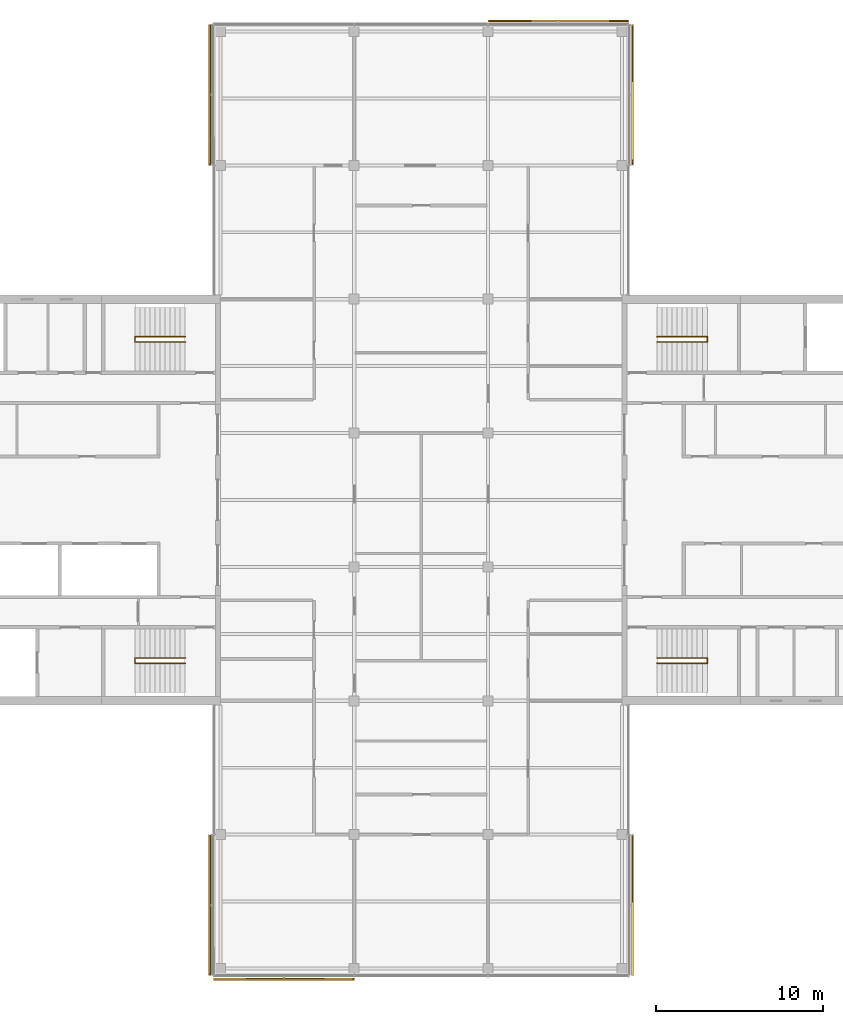
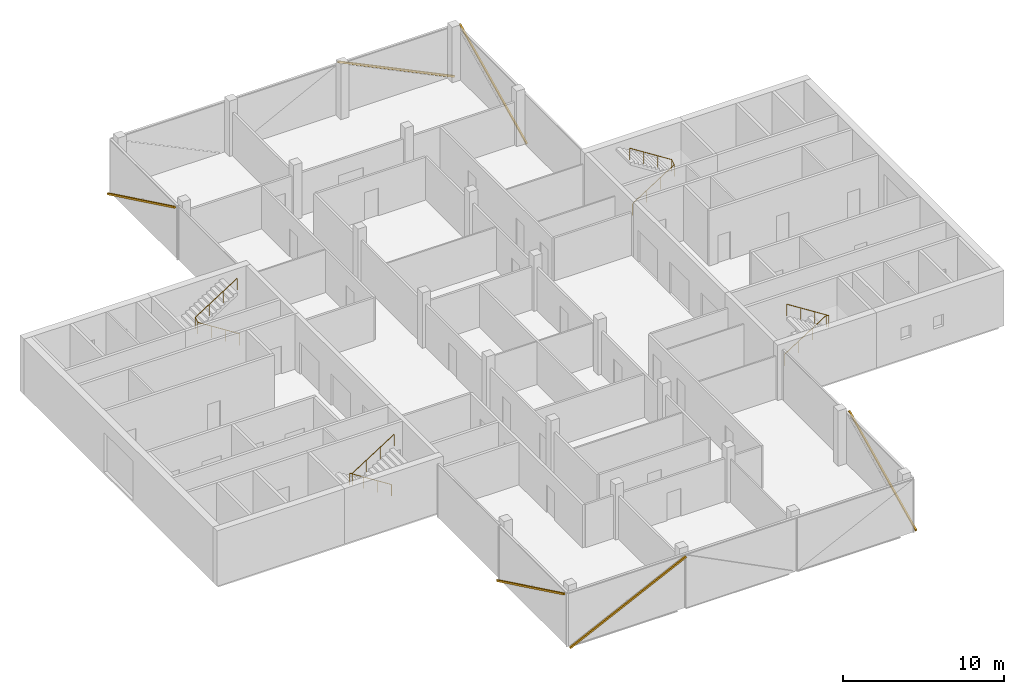
# One storey, part 16 of 16: 6 shading devices, 4 railings, 6 elements without a shape of their own.
"""IFC4 building model written with IfcOpenShell, lengths in metres."""

from ifc_helpers import new_model, si_unit, direction, frame, origin, origin_2d, place, context, subcontext, project, spatial, rectangle, circle, extrude, material, material_profile, profile_set, type_object, element, aggregate, save


model = new_model("IFC4")

# Units and contexts
model_context = context("Model", 3, precision=1e-05, world=origin(), true_north=direction((0.0, 1.0)))
body_context = subcontext(model_context, "Body", "Model", "MODEL_VIEW")
ifc_project = project(units=[si_unit("LENGTHUNIT", "METRE"), si_unit("AREAUNIT", "SQUARE_METRE"), si_unit("VOLUMEUNIT", "CUBIC_METRE"), si_unit("PLANEANGLEUNIT", "RADIAN"), si_unit("MASSUNIT", "GRAM", prefix="KILO")], contexts=[model_context])

# Site, building, storey
site_placement = place(None, origin())
site = spatial("IfcSite", under=ifc_project, at=site_placement, CompositionType="ELEMENT")
building_placement = place(site_placement, origin())
building = spatial("IfcBuilding", under=site, at=building_placement, Name="Crosswind Convention Tower", CompositionType="ELEMENT")
storey_placement = place(building_placement, frame((0.0, 0.0, 299.699951171875)))
storey = spatial("IfcBuildingStorey", under=building, at=storey_placement, Name="L65", CompositionType="ELEMENT", Elevation=299.699951171875)

# Railings
ifc_material_1 = material(Name="Stainless steel", Category="steel")
railing_type = type_object("IfcRailingType", Name="Stair handrail 900", PredefinedType="HANDRAIL", material=ifc_material_1)
railing_1_placement = place(storey_placement, frame((139.10009765625, 109.43994140625, 0.19091796875)))
element("IfcRailing", 1, at=railing_1_placement, inside=storey, type_object=railing_type, Name="Stair ST1 handrail L65", PredefinedType="HANDRAIL", context=body_context, shape_type="SweptSolid", body=[
    extrude(circle(Radius=0.02392578125, at=origin_2d()), frame((0.0, 0.0, 0.8759765625), z_axis=(0.843650179428, 0.0, 0.536893261973), x_axis=(0.0, 1.0, 0.0)), (0.0, 0.0, 1.0), 3.555908203125),
    extrude(circle(Radius=0.02392578125, at=origin_2d()), frame((3.0, 0.0, 2.78515625), z_axis=(0.0, 0.858819504967, 0.512278301208), x_axis=(-1.0, 0.0, 0.0)), (0.0, 0.0, 1.0), 0.372802734375),
    extrude(circle(Radius=0.02392578125, at=origin_2d()), frame((3.0, 0.320068359375, 2.97607421875), z_axis=(-0.843681277094, 0.0, 0.536844393359), x_axis=(0.0, -1.0, 0.0)), (0.0, 0.0, 1.0), 3.555908203125),
    extrude(circle(Radius=0.02099609375, at=origin_2d()), origin(), (0.0, 0.0, 1.0), 0.851806640625),
    extrude(circle(Radius=0.02099609375, at=origin_2d()), frame((1.0, 0.0, 0.636474609375)), (0.0, 0.0, 1.0), 0.851806640625),
    extrude(circle(Radius=0.02099609375, at=origin_2d()), frame((2.0, 0.0, 1.272705078125)), (0.0, 0.0, 1.0), 0.851806640625),
    extrude(circle(Radius=0.02099609375, at=origin_2d()), frame((3.0, 0.0, 1.9091796875)), (0.0, 0.0, 1.0), 0.851806640625),
    extrude(circle(Radius=0.02099609375, at=origin_2d()), frame((3.0, 0.320068359375, 2.10009765625)), (0.0, 0.0, 1.0), 0.851806640625),
    extrude(circle(Radius=0.02099609375, at=origin_2d()), frame((2.0, 0.320068359375, 2.736328125)), (0.0, 0.0, 1.0), 0.851806640625),
    extrude(circle(Radius=0.02099609375, at=origin_2d()), frame((1.0, 0.320068359375, 3.372802734375)), (0.0, 0.0, 1.0), 0.851806640625),
    extrude(circle(Radius=0.02099609375, at=origin_2d()), frame((0.0, 0.320068359375, 4.009033203125)), (0.0, 0.0, 1.0), 0.851806640625),
])
railing_2_placement = place(storey_placement, frame((139.10009765625, 90.56005859375, 0.19091796875)))
element("IfcRailing", 2, at=railing_2_placement, inside=storey, type_object=railing_type, Name="Stair ST2 handrail L65", PredefinedType="HANDRAIL", context=body_context, shape_type="SweptSolid", body=[
    extrude(circle(Radius=0.02392578125, at=origin_2d()), frame((0.0, 0.0, 0.8759765625), z_axis=(0.843650179428, 0.0, 0.536893261973), x_axis=(0.0, 1.0, 0.0)), (0.0, 0.0, 1.0), 3.555908203125),
    extrude(circle(Radius=0.02392578125, at=origin_2d()), frame((3.0, 0.0, 2.78515625), z_axis=(0.0, -0.858819504967, 0.512278301208), x_axis=(1.0, 0.0, 0.0)), (0.0, 0.0, 1.0), 0.372802734375),
    extrude(circle(Radius=0.02392578125, at=origin_2d()), frame((3.0, -0.320068359375, 2.97607421875), z_axis=(-0.843681277094, 0.0, 0.536844393359), x_axis=(0.0, -1.0, 0.0)), (0.0, 0.0, 1.0), 3.555908203125),
    extrude(circle(Radius=0.02099609375, at=origin_2d()), origin(), (0.0, 0.0, 1.0), 0.851806640625),
    extrude(circle(Radius=0.02099609375, at=origin_2d()), frame((1.0, 0.0, 0.636474609375)), (0.0, 0.0, 1.0), 0.851806640625),
    extrude(circle(Radius=0.02099609375, at=origin_2d()), frame((2.0, 0.0, 1.272705078125)), (0.0, 0.0, 1.0), 0.851806640625),
    extrude(circle(Radius=0.02099609375, at=origin_2d()), frame((3.0, 0.0, 1.9091796875)), (0.0, 0.0, 1.0), 0.851806640625),
    extrude(circle(Radius=0.02099609375, at=origin_2d()), frame((3.0, -0.320068359375, 2.10009765625)), (0.0, 0.0, 1.0), 0.851806640625),
    extrude(circle(Radius=0.02099609375, at=origin_2d()), frame((2.0, -0.320068359375, 2.736328125)), (0.0, 0.0, 1.0), 0.851806640625),
    extrude(circle(Radius=0.02099609375, at=origin_2d()), frame((1.0, -0.320068359375, 3.372802734375)), (0.0, 0.0, 1.0), 0.851806640625),
    extrude(circle(Radius=0.02099609375, at=origin_2d()), frame((0.0, -0.320068359375, 4.009033203125)), (0.0, 0.0, 1.0), 0.851806640625),
])
railing_3_placement = place(storey_placement, frame((110.89990234375, 90.56005859375, 0.19091796875)))
element("IfcRailing", 3, at=railing_3_placement, inside=storey, type_object=railing_type, Name="Stair ST3 handrail L65", PredefinedType="HANDRAIL", context=body_context, shape_type="SweptSolid", body=[
    extrude(circle(Radius=0.02392578125, at=origin_2d()), frame((0.0, 0.0, 0.8759765625), z_axis=(-0.843650179428, 0.0, 0.536893261973), x_axis=(0.0, -1.0, 0.0)), (0.0, 0.0, 1.0), 3.555908203125),
    extrude(circle(Radius=0.02392578125, at=origin_2d()), frame((-3.0, 0.0, 2.78515625), z_axis=(0.0, -0.858819504967, 0.512278301208), x_axis=(1.0, 0.0, 0.0)), (0.0, 0.0, 1.0), 0.372802734375),
    extrude(circle(Radius=0.02392578125, at=origin_2d()), frame((-3.0, -0.320068359375, 2.97607421875), z_axis=(0.843681277094, 0.0, 0.536844393359), x_axis=(0.0, 1.0, 0.0)), (0.0, 0.0, 1.0), 3.555908203125),
    extrude(circle(Radius=0.02099609375, at=origin_2d()), origin(), (0.0, 0.0, 1.0), 0.851806640625),
    extrude(circle(Radius=0.02099609375, at=origin_2d()), frame((-1.0, 0.0, 0.636474609375)), (0.0, 0.0, 1.0), 0.851806640625),
    extrude(circle(Radius=0.02099609375, at=origin_2d()), frame((-2.0, 0.0, 1.272705078125)), (0.0, 0.0, 1.0), 0.851806640625),
    extrude(circle(Radius=0.02099609375, at=origin_2d()), frame((-3.0, 0.0, 1.9091796875)), (0.0, 0.0, 1.0), 0.851806640625),
    extrude(circle(Radius=0.02099609375, at=origin_2d()), frame((-3.0, -0.320068359375, 2.10009765625)), (0.0, 0.0, 1.0), 0.851806640625),
    extrude(circle(Radius=0.02099609375, at=origin_2d()), frame((-2.0, -0.320068359375, 2.736328125)), (0.0, 0.0, 1.0), 0.851806640625),
    extrude(circle(Radius=0.02099609375, at=origin_2d()), frame((-1.0, -0.320068359375, 3.372802734375)), (0.0, 0.0, 1.0), 0.851806640625),
    extrude(circle(Radius=0.02099609375, at=origin_2d()), frame((0.0, -0.320068359375, 4.009033203125)), (0.0, 0.0, 1.0), 0.851806640625),
])
railing_4_placement = place(storey_placement, frame((110.89990234375, 109.43994140625, 0.19091796875)))
element("IfcRailing", 4, at=railing_4_placement, inside=storey, type_object=railing_type, Name="Stair ST4 handrail L65", PredefinedType="HANDRAIL", context=body_context, shape_type="SweptSolid", body=[
    extrude(circle(Radius=0.02392578125, at=origin_2d()), frame((0.0, 0.0, 0.8759765625), z_axis=(-0.843650179428, 0.0, 0.536893261973), x_axis=(0.0, -1.0, 0.0)), (0.0, 0.0, 1.0), 3.555908203125),
    extrude(circle(Radius=0.02392578125, at=origin_2d()), frame((-3.0, 0.0, 2.78515625), z_axis=(0.0, 0.858819504967, 0.512278301208), x_axis=(-1.0, 0.0, 0.0)), (0.0, 0.0, 1.0), 0.372802734375),
    extrude(circle(Radius=0.02392578125, at=origin_2d()), frame((-3.0, 0.320068359375, 2.97607421875), z_axis=(0.843681277094, 0.0, 0.536844393359), x_axis=(0.0, 1.0, 0.0)), (0.0, 0.0, 1.0), 3.555908203125),
    extrude(circle(Radius=0.02099609375, at=origin_2d()), origin(), (0.0, 0.0, 1.0), 0.851806640625),
    extrude(circle(Radius=0.02099609375, at=origin_2d()), frame((-1.0, 0.0, 0.636474609375)), (0.0, 0.0, 1.0), 0.851806640625),
    extrude(circle(Radius=0.02099609375, at=origin_2d()), frame((-2.0, 0.0, 1.272705078125)), (0.0, 0.0, 1.0), 0.851806640625),
    extrude(circle(Radius=0.02099609375, at=origin_2d()), frame((-3.0, 0.0, 1.9091796875)), (0.0, 0.0, 1.0), 0.851806640625),
    extrude(circle(Radius=0.02099609375, at=origin_2d()), frame((-3.0, 0.320068359375, 2.10009765625)), (0.0, 0.0, 1.0), 0.851806640625),
    extrude(circle(Radius=0.02099609375, at=origin_2d()), frame((-2.0, 0.320068359375, 2.736328125)), (0.0, 0.0, 1.0), 0.851806640625),
    extrude(circle(Radius=0.02099609375, at=origin_2d()), frame((-1.0, 0.320068359375, 3.372802734375)), (0.0, 0.0, 1.0), 0.851806640625),
    extrude(circle(Radius=0.02099609375, at=origin_2d()), frame((0.0, 0.320068359375, 4.009033203125)), (0.0, 0.0, 1.0), 0.851806640625),
])

# Curtain wall, shading device
ifc_material_2 = material(Name="Aluminium unitised curtain wall", Category="aluminium")
curtain_wall_type = type_object("IfcCurtainWallType", Name="OFFICE UNITISED WALL 220", PredefinedType="USERDEFINED", material=ifc_material_2)
curtain_wall_1_placement = place(storey_placement, origin())
curtain_wall_1 = element("IfcCurtainWall", 5, at=curtain_wall_1_placement, inside=storey, type_object=curtain_wall_type, Name="CW3 L65 N-E 1", ObjectType="UNITISED", PredefinedType="USERDEFINED")
ifc_material_3 = material(Name="Extruded terracotta", Category="masonry")
ifc_material_profile = material_profile(ifc_material_3, rectangle(XDim=0.110107421875, YDim=0.1298828125, at=origin_2d()), Name="TC 110X130")
ifc_profile_set = profile_set([ifc_material_profile], Name="Extruded terracotta")
shading_device_type = type_object("IfcShadingDeviceType", Name="TERRACOTTA BAGUETTE 130X110", PredefinedType="USERDEFINED", material=ifc_profile_set)
shading_device_1_placement = place(storey_placement, frame((137.631103515625, 120.034912109375, -0.300048828125), z_axis=(0.0, 0.900391805058, 0.43507998964), x_axis=(-1.0, 0.0, 0.0)))
shading_device_1 = element("IfcShadingDevice", 6, at=shading_device_1_placement, type_object=shading_device_type, Name="CW3 terracotta baguette 1", ObjectType="BAGUETTE", PredefinedType="USERDEFINED", context=body_context, shape_type="SweptSolid", body=[
    extrude(rectangle(XDim=0.110107421875, YDim=0.1298828125, at=origin_2d()), origin(), (0.0, 0.0, 1.0), 9.2626953125),
])
aggregate(curtain_wall_1, [shading_device_1])

curtain_wall_2_placement = place(storey_placement, origin())
curtain_wall_2 = element("IfcCurtainWall", 7, at=curtain_wall_2_placement, inside=storey, type_object=curtain_wall_type, Name="CW3 L65 N-TIP 1", ObjectType="UNITISED", PredefinedType="USERDEFINED")
shading_device_2_placement = place(storey_placement, frame((137.375, 128.631103515625, -0.300048828125), z_axis=(-0.900391805058, 0.0, 0.43507998964), x_axis=(0.0, -1.0, 0.0)))
shading_device_2 = element("IfcShadingDevice", 8, at=shading_device_2_placement, type_object=shading_device_type, Name="CW3 terracotta baguette 1", ObjectType="BAGUETTE", PredefinedType="USERDEFINED", context=body_context, shape_type="SweptSolid", body=[
    extrude(rectangle(XDim=0.110107421875, YDim=0.1298828125, at=origin_2d()), origin(), (0.0, 0.0, 1.0), 9.2626953125),
])
aggregate(curtain_wall_2, [shading_device_2])

curtain_wall_3_placement = place(storey_placement, origin())
curtain_wall_3 = element("IfcCurtainWall", 9, at=curtain_wall_3_placement, inside=storey, type_object=curtain_wall_type, Name="CW3 L65 N-W 1", ObjectType="UNITISED", PredefinedType="USERDEFINED")
shading_device_3_placement = place(storey_placement, frame((112.368896484375, 128.375, -0.300048828125), z_axis=(0.0, -0.900391805058, 0.43507998964), x_axis=(1.0, 0.0, 0.0)))
shading_device_3 = element("IfcShadingDevice", 10, at=shading_device_3_placement, type_object=shading_device_type, Name="CW3 terracotta baguette 1", ObjectType="BAGUETTE", PredefinedType="USERDEFINED", context=body_context, shape_type="SweptSolid", body=[
    extrude(rectangle(XDim=0.110107421875, YDim=0.1298828125, at=origin_2d()), origin(), (0.0, 0.0, 1.0), 9.2626953125),
])
aggregate(curtain_wall_3, [shading_device_3])

curtain_wall_4_placement = place(storey_placement, origin())
curtain_wall_4 = element("IfcCurtainWall", 11, at=curtain_wall_4_placement, inside=storey, type_object=curtain_wall_type, Name="CW3 L65 S-W 1", ObjectType="UNITISED", PredefinedType="USERDEFINED")
shading_device_4_placement = place(storey_placement, frame((112.368896484375, 79.965087890625, -0.300048828125), z_axis=(0.0, -0.900391805058, 0.43507998964), x_axis=(1.0, 0.0, 0.0)))
shading_device_4 = element("IfcShadingDevice", 12, at=shading_device_4_placement, type_object=shading_device_type, Name="CW3 terracotta baguette 1", ObjectType="BAGUETTE", PredefinedType="USERDEFINED", context=body_context, shape_type="SweptSolid", body=[
    extrude(rectangle(XDim=0.110107421875, YDim=0.1298828125, at=origin_2d()), origin(), (0.0, 0.0, 1.0), 9.2626953125),
])
aggregate(curtain_wall_4, [shading_device_4])

curtain_wall_5_placement = place(storey_placement, origin())
curtain_wall_5 = element("IfcCurtainWall", 13, at=curtain_wall_5_placement, inside=storey, type_object=curtain_wall_type, Name="CW3 L65 S-TIP 1", ObjectType="UNITISED", PredefinedType="USERDEFINED")
shading_device_5_placement = place(storey_placement, frame((112.625, 71.368896484375, -0.300048828125), z_axis=(0.900391805058, 0.0, 0.43507998964), x_axis=(0.0, 1.0, 0.0)))
shading_device_5 = element("IfcShadingDevice", 14, at=shading_device_5_placement, type_object=shading_device_type, Name="CW3 terracotta baguette 1", ObjectType="BAGUETTE", PredefinedType="USERDEFINED", context=body_context, shape_type="SweptSolid", body=[
    extrude(rectangle(XDim=0.110107421875, YDim=0.1298828125, at=origin_2d()), origin(), (0.0, 0.0, 1.0), 9.2626953125),
])
aggregate(curtain_wall_5, [shading_device_5])

curtain_wall_6_placement = place(storey_placement, origin())
curtain_wall_6 = element("IfcCurtainWall", 15, at=curtain_wall_6_placement, inside=storey, type_object=curtain_wall_type, Name="CW3 L65 S-E 1", ObjectType="UNITISED", PredefinedType="USERDEFINED")
shading_device_6_placement = place(storey_placement, frame((137.631103515625, 71.625, -0.300048828125), z_axis=(0.0, 0.900391805058, 0.43507998964), x_axis=(-1.0, 0.0, 0.0)))
shading_device_6 = element("IfcShadingDevice", 16, at=shading_device_6_placement, type_object=shading_device_type, Name="CW3 terracotta baguette 1", ObjectType="BAGUETTE", PredefinedType="USERDEFINED", context=body_context, shape_type="SweptSolid", body=[
    extrude(rectangle(XDim=0.110107421875, YDim=0.1298828125, at=origin_2d()), origin(), (0.0, 0.0, 1.0), 9.2626953125),
])
aggregate(curtain_wall_6, [shading_device_6])

save(model, "model.ifc")
